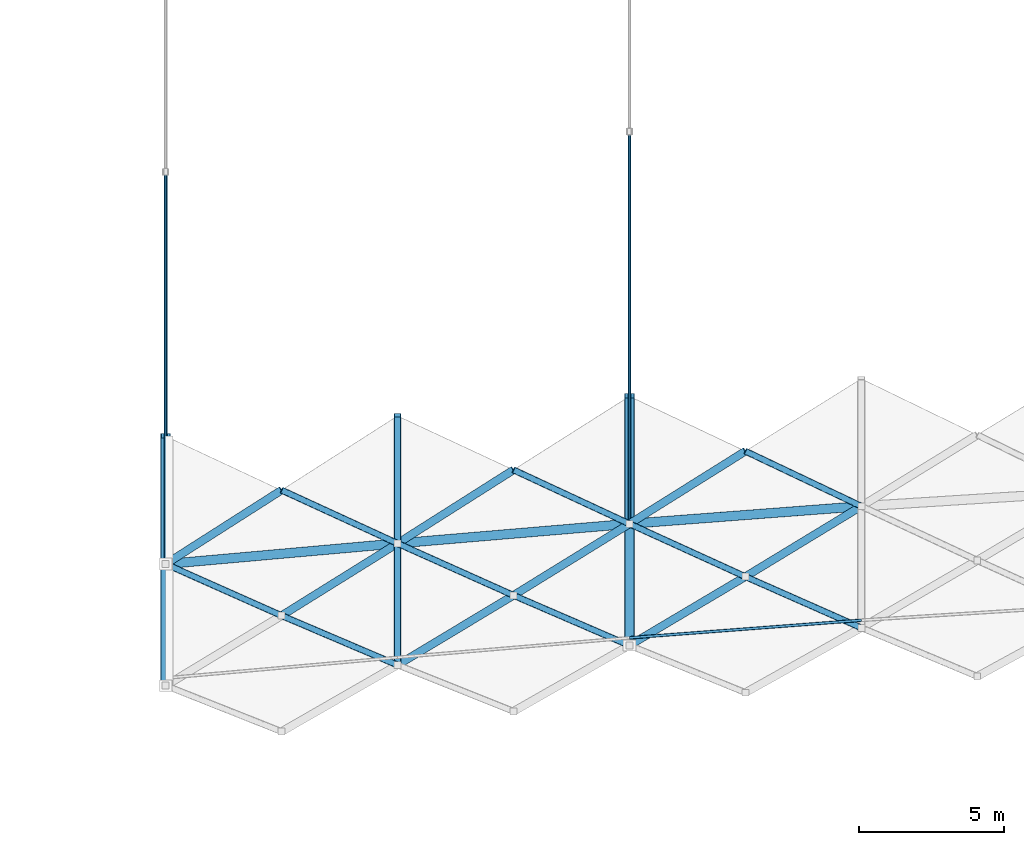
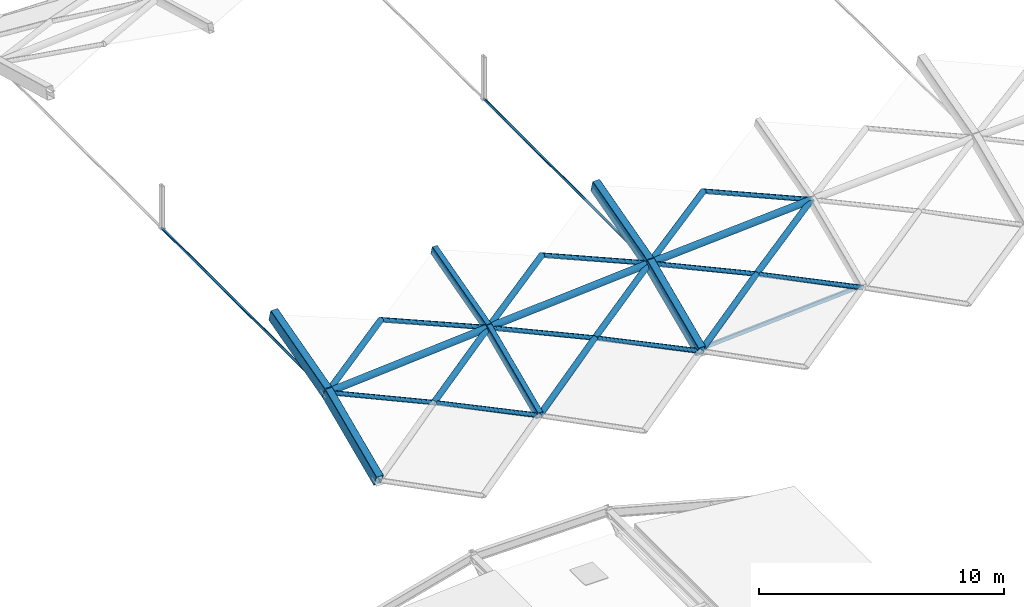
# One storey, part 4 of 54: 23 members, 6 beams.
"""IFC4 building model written with IfcOpenShell, lengths in metres."""

from ifc_helpers import new_model, si_unit, direction, frame, origin, origin_2d, place, context, subcontext, project, spatial, hollow_rectangle, hollow_circle, extrude, material, material_profile, profile_set, type_object, element, save


model = new_model("IFC4")

# Units and contexts
model_context = context("Model", 3, precision=1e-05, world=origin(), true_north=direction((0.0, 1.0)))
body_context = subcontext(model_context, "Body", "Model", "MODEL_VIEW")
ifc_project = project(units=[si_unit("LENGTHUNIT", "METRE"), si_unit("AREAUNIT", "SQUARE_METRE"), si_unit("VOLUMEUNIT", "CUBIC_METRE"), si_unit("PLANEANGLEUNIT", "RADIAN"), si_unit("MASSUNIT", "GRAM", prefix="KILO")], contexts=[model_context])

# Site, building, storey
site_placement = place(None, origin())
site = spatial("IfcSite", under=ifc_project, at=site_placement, CompositionType="ELEMENT")
building_placement = place(site_placement, origin())
building = spatial("IfcBuilding", under=site, at=building_placement, Name="Kenh Van Central Station", CompositionType="ELEMENT")
storey_placement = place(building_placement, frame((0.0, 0.0, 15.0)))
storey = spatial("IfcBuildingStorey", under=building, at=storey_placement, Name="L03", CompositionType="ELEMENT", Elevation=15.0)

# Beams
ifc_material = material(Name="White fluoropolymer structural steel S355", Category="steel")
ifc_material_profile_1 = material_profile(ifc_material, hollow_rectangle(XDim=0.35009765625, YDim=0.60009765625, WallThickness=0.01611328125, InnerFilletRadius=0.01611328125, OuterFilletRadius=0.031982421875, at=origin_2d()), Name="RHS 600x350x16")
ifc_profile_set_1 = profile_set([ifc_material_profile_1], Name="White fluoropolymer structural steel S355")
beam_type_1 = type_object("IfcBeamType", Name="BM-VAULT-ARCH600", PredefinedType="BEAM", material=ifc_profile_set_1)
beam_1_placement = place(storey_placement, frame((32.0, 70.26953125, 2.228515625), z_axis=(0.0, 0.91578030048, 0.401679525559), x_axis=(-1.0, 0.0, 0.0)))
element("IfcBeam", 1, at=beam_1_placement, inside=storey, type_object=beam_type_1, Name="Vault transverse arch 003", PredefinedType="BEAM", context=body_context, shape_type="SweptSolid", body=[
    extrude(hollow_rectangle(XDim=0.35009765625, YDim=0.60009765625, WallThickness=0.01611328125, InnerFilletRadius=0.01611328125, OuterFilletRadius=0.031982421875, at=origin_2d()), origin(), (0.0, 0.0, 1.0), 4.582275390625),
])
beam_2_placement = place(storey_placement, frame((32.0, 74.4658203125, 4.069091796875), z_axis=(0.0, 0.964381836979, 0.264514030829), x_axis=(-1.0, 0.0, 0.0)))
element("IfcBeam", 2, at=beam_2_placement, inside=storey, type_object=beam_type_1, Name="Vault transverse arch 004", PredefinedType="BEAM", context=body_context, shape_type="SweptSolid", body=[
    extrude(hollow_rectangle(XDim=0.35009765625, YDim=0.60009765625, WallThickness=0.01611328125, InnerFilletRadius=0.01611328125, OuterFilletRadius=0.031982421875, at=origin_2d()), origin(), (0.0, 0.0, 1.0), 4.58447265625),
])
beam_3_placement = place(storey_placement, frame((48.0, 71.657958984375, 2.228515625), z_axis=(0.0, 0.915771703278, 0.401699125561), x_axis=(-1.0, 0.0, 0.0)))
element("IfcBeam", 3, at=beam_3_placement, inside=storey, type_object=beam_type_1, Name="Vault transverse arch 027", PredefinedType="BEAM", context=body_context, shape_type="SweptSolid", body=[
    extrude(hollow_rectangle(XDim=0.35009765625, YDim=0.60009765625, WallThickness=0.01611328125, InnerFilletRadius=0.01611328125, OuterFilletRadius=0.031982421875, at=origin_2d()), origin(), (0.0, 0.0, 1.0), 4.58203125),
])
beam_4_placement = place(storey_placement, frame((48.0, 75.85400390625, 4.069091796875), z_axis=(0.0, 0.96438556277, 0.26450044673), x_axis=(-1.0, 0.0, 0.0)))
element("IfcBeam", 4, at=beam_4_placement, inside=storey, type_object=beam_type_1, Name="Vault transverse arch 028", PredefinedType="BEAM", context=body_context, shape_type="SweptSolid", body=[
    extrude(hollow_rectangle(XDim=0.35009765625, YDim=0.60009765625, WallThickness=0.01611328125, InnerFilletRadius=0.01611328125, OuterFilletRadius=0.031982421875, at=origin_2d()), origin(), (0.0, 0.0, 1.0), 4.584716796875),
])
ifc_material_profile_2 = material_profile(ifc_material, hollow_rectangle(XDim=0.25, YDim=0.449951171875, WallThickness=0.012451171875, InnerFilletRadius=0.012451171875, OuterFilletRadius=0.02490234375, at=origin_2d()), Name="RHS 450x250x12.5")
ifc_profile_set_2 = profile_set([ifc_material_profile_2], Name="White fluoropolymer structural steel S355")
beam_type_2 = type_object("IfcBeamType", Name="BM-VAULT-SUB450", PredefinedType="BEAM", material=ifc_profile_set_2)
beam_5_placement = place(storey_placement, frame((40.0, 70.9814453125, 2.228515625), z_axis=(0.0, 0.91578030048, 0.401679525559), x_axis=(-1.0, 0.0, 0.0)))
element("IfcBeam", 5, at=beam_5_placement, inside=storey, type_object=beam_type_2, Name="Vault transverse arch 015", PredefinedType="BEAM", context=body_context, shape_type="SweptSolid", body=[
    extrude(hollow_rectangle(XDim=0.25, YDim=0.449951171875, WallThickness=0.012451171875, InnerFilletRadius=0.012451171875, OuterFilletRadius=0.02490234375, at=origin_2d()), origin(), (0.0, 0.0, 1.0), 4.582275390625),
])
beam_6_placement = place(storey_placement, frame((40.0, 75.177734375, 4.069091796875), z_axis=(0.0, 0.96438556277, 0.26450044673), x_axis=(-1.0, 0.0, 0.0)))
element("IfcBeam", 6, at=beam_6_placement, inside=storey, type_object=beam_type_2, Name="Vault transverse arch 016", PredefinedType="BEAM", context=body_context, shape_type="SweptSolid", body=[
    extrude(hollow_rectangle(XDim=0.25, YDim=0.449951171875, WallThickness=0.012451171875, InnerFilletRadius=0.012451171875, OuterFilletRadius=0.02490234375, at=origin_2d()), origin(), (0.0, 0.0, 1.0), 4.584716796875),
])

# Members
ifc_material_profile_3 = material_profile(ifc_material, hollow_rectangle(XDim=0.10009765625, YDim=0.199951171875, WallThickness=0.008056640625, InnerFilletRadius=0.008056640625, OuterFilletRadius=0.01611328125, at=origin_2d()), Name="RHS 200x100x8")
ifc_profile_set_3 = profile_set([ifc_material_profile_3], Name="White fluoropolymer structural steel S355")
member_type_1 = type_object("IfcMemberType", Name="MEM-PUR-RHS200", PredefinedType="PURLIN", material=ifc_profile_set_3)
member_1_placement = place(storey_placement, frame((48.0, 71.921142578125, 2.13330078125), z_axis=(0.997136780926, 0.075619046039, 0.0), x_axis=(-0.075619046039, 0.997136780926, 0.0)))
element("IfcMember", 7, at=member_1_placement, inside=storey, type_object=member_type_1, Name="Vault longitudinal purlin 003", PredefinedType="PURLIN", context=body_context, shape_type="SweptSolid", body=[
    extrude(hollow_rectangle(XDim=0.10009765625, YDim=0.199951171875, WallThickness=0.008056640625, InnerFilletRadius=0.008056640625, OuterFilletRadius=0.01611328125, at=origin_2d()), origin(), (0.0, 0.0, 1.0), 8.02294921875),
])
ifc_material_profile_4 = material_profile(ifc_material, hollow_circle(Radius=0.109619140625, WallThickness=0.008056640625, at=origin_2d()), Name="CHS 219.1x8")
ifc_profile_set_4 = profile_set([ifc_material_profile_4], Name="White fluoropolymer structural steel S355")
member_type_2 = type_object("IfcMemberType", Name="MEM-VAULT-BRC219", PredefinedType="BRACE", material=ifc_profile_set_4)
member_2_placement = place(storey_placement, frame((32.0, 74.4658203125, 4.069091796875), z_axis=(0.897654765878, -0.399189002941, -0.18671920423), x_axis=(0.406335086538, 0.913724136404, 0.0)))
element("IfcMember", 8, at=member_2_placement, inside=storey, type_object=member_type_2, Name="Vault diamond grid member 0007", PredefinedType="BRACE", context=body_context, shape_type="SweptSolid", body=[
    extrude(hollow_circle(Radius=0.109619140625, WallThickness=0.008056640625, at=origin_2d()), origin(), (0.0, 0.0, 1.0), 4.4560546875),
])
member_3_placement = place(storey_placement, frame((36.0, 72.68701171875, 3.237060546875), z_axis=(0.896083797461, -0.382082605534, -0.225935190876), x_axis=(0.392224618177, 0.919869473836, 0.0)))
element("IfcMember", 9, at=member_3_placement, inside=storey, type_object=member_type_2, Name="Vault diamond grid member 0030", PredefinedType="BRACE", context=body_context, shape_type="SweptSolid", body=[
    extrude(hollow_circle(Radius=0.109619140625, WallThickness=0.008056640625, at=origin_2d()), origin(), (0.0, 0.0, 1.0), 4.4638671875),
])
member_4_placement = place(storey_placement, frame((36.0, 77.015380859375, 4.74560546875), z_axis=(0.898148398823, -0.412619811886, -0.151902417794), x_axis=(0.41746427799, 0.908693334741, 0.0)))
element("IfcMember", 10, at=member_4_placement, inside=storey, type_object=member_type_2, Name="Vault diamond grid member 0032", PredefinedType="BRACE", context=body_context, shape_type="SweptSolid", body=[
    extrude(hollow_circle(Radius=0.109619140625, WallThickness=0.008056640625, at=origin_2d()), origin(), (0.0, 0.0, 1.0), 4.45361328125),
])
member_5_placement = place(storey_placement, frame((40.0, 75.177734375, 4.069091796875), z_axis=(0.896592566382, -0.401671718582, -0.186498258437), x_axis=(0.408844781129, 0.912603936515, 0.0)))
element("IfcMember", 11, at=member_5_placement, inside=storey, type_object=member_type_2, Name="Vault diamond grid member 0055", PredefinedType="BRACE", context=body_context, shape_type="SweptSolid", body=[
    extrude(hollow_circle(Radius=0.109619140625, WallThickness=0.008056640625, at=origin_2d()), origin(), (0.0, 0.0, 1.0), 4.46142578125),
])
member_6_placement = place(storey_placement, frame((44.0, 73.3857421875, 3.237060546875), z_axis=(0.894373582592, -0.38632091333, -0.225503983746), x_axis=(0.396534758202, 0.918019708687, 0.0)))
element("IfcMember", 12, at=member_6_placement, inside=storey, type_object=member_type_2, Name="Vault diamond grid member 0078", PredefinedType="BRACE", context=body_context, shape_type="SweptSolid", body=[
    extrude(hollow_circle(Radius=0.109619140625, WallThickness=0.008056640625, at=origin_2d()), origin(), (0.0, 0.0, 1.0), 4.472412109375),
])
member_7_placement = place(storey_placement, frame((44.0, 77.7138671875, 4.74560546875), z_axis=(0.896294275368, -0.416746202988, -0.151588832827), x_axis=(0.421618579867, 0.906773275472, 0.0)))
element("IfcMember", 13, at=member_7_placement, inside=storey, type_object=member_type_2, Name="Vault diamond grid member 0080", PredefinedType="BRACE", context=body_context, shape_type="SweptSolid", body=[
    extrude(hollow_circle(Radius=0.109619140625, WallThickness=0.008056640625, at=origin_2d()), origin(), (0.0, 0.0, 1.0), 4.462890625),
])
member_8_placement = place(storey_placement, frame((48.0, 75.85400390625, 4.069091796875), z_axis=(0.894098495789, -0.407430381443, -0.185979472269), x_axis=(0.414664776546, 0.909974243093, 0.0)))
element("IfcMember", 14, at=member_8_placement, inside=storey, type_object=member_type_2, Name="Vault diamond grid member 0103", PredefinedType="BRACE", context=body_context, shape_type="SweptSolid", body=[
    extrude(hollow_circle(Radius=0.109619140625, WallThickness=0.008056640625, at=origin_2d()), origin(), (0.0, 0.0, 1.0), 4.473876953125),
])
member_9_placement = place(storey_placement, frame((52.0, 74.03125, 3.237060546875), z_axis=(0.891356322354, -0.393667867954, -0.224743223123), x_axis=(0.404003065048, 0.914757630977, 0.0)))
element("IfcMember", 15, at=member_9_placement, inside=storey, type_object=member_type_2, Name="Vault diamond grid member 0126", PredefinedType="BRACE", context=body_context, shape_type="SweptSolid", body=[
    extrude(hollow_circle(Radius=0.109619140625, WallThickness=0.008056640625, at=origin_2d()), origin(), (0.0, 0.0, 1.0), 4.487548828125),
])
member_10_placement = place(storey_placement, frame((52.0, 78.359619140625, 4.74560546875), z_axis=(0.893029293964, -0.423894581247, -0.151036631688), x_axis=(0.428813862497, 0.903392866548, 0.0)))
element("IfcMember", 16, at=member_10_placement, inside=storey, type_object=member_type_2, Name="Vault diamond grid member 0128", PredefinedType="BRACE", context=body_context, shape_type="SweptSolid", body=[
    extrude(hollow_circle(Radius=0.109619140625, WallThickness=0.008056640625, at=origin_2d()), origin(), (0.0, 0.0, 1.0), 4.479248046875),
])
ifc_material_profile_5 = material_profile(ifc_material, hollow_circle(Radius=0.05712890625, WallThickness=0.010009765625, at=origin_2d()), Name="CHS 114.3x10")
ifc_profile_set_5 = profile_set([ifc_material_profile_5], Name="White fluoropolymer structural steel S355")
member_type_3 = type_object("IfcMemberType", Name="MEM-VAULT-CBL114", PredefinedType="BRACE", material=ifc_profile_set_5)
member_11_placement = place(storey_placement, frame((32.0, 74.4658203125, 4.069091796875), z_axis=(0.0, 1.0, 0.0), x_axis=(-1.0, 0.0, 0.0)))
element("IfcMember", 17, at=member_11_placement, inside=storey, type_object=member_type_3, Name="Vault internal bowstring tension tie 01", PredefinedType="BRACE", context=body_context, shape_type="SweptSolid", body=[
    extrude(hollow_circle(Radius=0.05712890625, WallThickness=0.010009765625, at=origin_2d()), origin(), (0.0, 0.0, 1.0), 13.5341796875),
])
member_12_placement = place(storey_placement, frame((48.0, 75.85400390625, 4.069091796875), z_axis=(0.0, 1.0, 0.0), x_axis=(-1.0, 0.0, 0.0)))
element("IfcMember", 18, at=member_12_placement, inside=storey, type_object=member_type_3, Name="Vault internal bowstring tension tie 03", PredefinedType="BRACE", context=body_context, shape_type="SweptSolid", body=[
    extrude(hollow_circle(Radius=0.05712890625, WallThickness=0.010009765625, at=origin_2d()), origin(), (0.0, 0.0, 1.0), 13.534423828125),
])
ifc_material_profile_6 = material_profile(ifc_material, hollow_circle(Radius=0.136474609375, WallThickness=0.010009765625, at=origin_2d()), Name="CHS 273x10")
ifc_profile_set_6 = profile_set([ifc_material_profile_6], Name="White fluoropolymer structural steel S355")
member_type_4 = type_object("IfcMemberType", Name="MEM-VAULT-CHD273", PredefinedType="CHORD", material=ifc_profile_set_6)
member_13_placement = place(storey_placement, frame((32.0, 74.4658203125, 4.069091796875), z_axis=(0.834821509295, 0.532106995945, 0.141192041153), x_axis=(-0.537491464035, 0.843269189577, 0.0)))
element("IfcMember", 19, at=member_13_placement, inside=storey, type_object=member_type_4, Name="Vault diamond grid member 0006", PredefinedType="CHORD", context=body_context, shape_type="SweptSolid", body=[
    extrude(hollow_circle(Radius=0.136474609375, WallThickness=0.010009765625, at=origin_2d()), origin(), (0.0, 0.0, 1.0), 4.79150390625),
])
member_14_placement = place(storey_placement, frame((36.0, 72.68701171875, 3.237060546875), z_axis=(0.83595022093, 0.520530038692, 0.173884176815), x_axis=(-0.528582404455, 0.848881995156, 0.0)))
element("IfcMember", 20, at=member_14_placement, inside=storey, type_object=member_type_4, Name="Vault diamond grid member 0029", PredefinedType="CHORD", context=body_context, shape_type="SweptSolid", body=[
    extrude(hollow_circle(Radius=0.136474609375, WallThickness=0.010009765625, at=origin_2d()), origin(), (0.0, 0.0, 1.0), 4.784912109375),
])
member_15_placement = place(storey_placement, frame((40.0, 70.9814453125, 2.228515625), z_axis=(0.837748119069, 0.503548796179, 0.211226652824), x_axis=(-0.515172579169, 0.857086468025, 0.0)))
element("IfcMember", 21, at=member_15_placement, inside=storey, type_object=member_type_4, Name="Vault diamond grid member 0052", PredefinedType="CHORD", context=body_context, shape_type="SweptSolid", body=[
    extrude(hollow_circle(Radius=0.136474609375, WallThickness=0.010009765625, at=origin_2d()), origin(), (0.0, 0.0, 1.0), 4.774658203125),
])
member_16_placement = place(storey_placement, frame((40.0, 75.177734375, 4.069091796875), z_axis=(0.83606589215, 0.530093535623, 0.141402501657), x_axis=(-0.535473877011, 0.844551790619, 0.0)))
element("IfcMember", 22, at=member_16_placement, inside=storey, type_object=member_type_4, Name="Vault diamond grid member 0054", PredefinedType="CHORD", context=body_context, shape_type="SweptSolid", body=[
    extrude(hollow_circle(Radius=0.136474609375, WallThickness=0.010009765625, at=origin_2d()), origin(), (0.0, 0.0, 1.0), 4.784423828125),
])
member_17_placement = place(storey_placement, frame((44.0, 73.3857421875, 3.237060546875), z_axis=(0.837991018787, 0.517095288082, 0.174308678713), x_axis=(-0.525134541028, 0.851019220593, 0.0)))
element("IfcMember", 23, at=member_17_placement, inside=storey, type_object=member_type_4, Name="Vault diamond grid member 0077", PredefinedType="CHORD", context=body_context, shape_type="SweptSolid", body=[
    extrude(hollow_circle(Radius=0.136474609375, WallThickness=0.010009765625, at=origin_2d()), origin(), (0.0, 0.0, 1.0), 4.7734375),
])
member_18_placement = place(storey_placement, frame((48.0, 71.657958984375, 2.228515625), z_axis=(0.840483171326, 0.498677789823, 0.211916258591), x_axis=(-0.51026706297, 0.860016002437, 0.0)))
element("IfcMember", 24, at=member_18_placement, inside=storey, type_object=member_type_4, Name="Vault diamond grid member 0100", PredefinedType="CHORD", context=body_context, shape_type="SweptSolid", body=[
    extrude(hollow_circle(Radius=0.136474609375, WallThickness=0.010009765625, at=origin_2d()), origin(), (0.0, 0.0, 1.0), 4.75927734375),
])
member_19_placement = place(storey_placement, frame((48.0, 75.85400390625, 4.069091796875), z_axis=(0.838890115135, 0.525483963112, 0.141880158022), x_axis=(-0.530854167719, 0.847463186584, 0.0)))
element("IfcMember", 25, at=member_19_placement, inside=storey, type_object=member_type_4, Name="Vault diamond grid member 0102", PredefinedType="CHORD", context=body_context, shape_type="SweptSolid", body=[
    extrude(hollow_circle(Radius=0.136474609375, WallThickness=0.010009765625, at=origin_2d()), origin(), (0.0, 0.0, 1.0), 4.768310546875),
])
member_20_placement = place(storey_placement, frame((52.0, 74.03125, 3.237060546875), z_axis=(0.84148717473, 0.511137717463, 0.175035906462), x_axis=(-0.51915236542, 0.854681707701, 0.0)))
element("IfcMember", 26, at=member_20_placement, inside=storey, type_object=member_type_4, Name="Vault diamond grid member 0125", PredefinedType="CHORD", context=body_context, shape_type="SweptSolid", body=[
    extrude(hollow_circle(Radius=0.136474609375, WallThickness=0.010009765625, at=origin_2d()), origin(), (0.0, 0.0, 1.0), 4.75341796875),
])
ifc_material_profile_7 = material_profile(ifc_material, hollow_circle(Radius=0.161865234375, WallThickness=0.010009765625, at=origin_2d()), Name="CHS 323.9x10")
ifc_profile_set_7 = profile_set([ifc_material_profile_7], Name="White fluoropolymer structural steel S355")
member_type_5 = type_object("IfcMemberType", Name="MEM-VAULT-CHD324", PredefinedType="CHORD", material=ifc_profile_set_7)
member_21_placement = place(storey_placement, frame((32.0, 74.4658203125, 4.069091796875), z_axis=(0.996063818854, 0.088638979974, 0.0), x_axis=(-0.088638979974, 0.996063818854, 0.0)))
element("IfcMember", 27, at=member_21_placement, inside=storey, type_object=member_type_5, Name="Vault longitudinal spine chord 15", PredefinedType="CHORD", context=body_context, shape_type="SweptSolid", body=[
    extrude(hollow_circle(Radius=0.161865234375, WallThickness=0.010009765625, at=origin_2d()), origin(), (0.0, 0.0, 1.0), 8.031494140625),
])
member_22_placement = place(storey_placement, frame((40.0, 75.177734375, 4.069091796875), z_axis=(0.996446063383, 0.084233264025, 0.0), x_axis=(-0.084233264025, 0.996446063383, 0.0)))
element("IfcMember", 28, at=member_22_placement, inside=storey, type_object=member_type_5, Name="Vault longitudinal spine chord 16", PredefinedType="CHORD", context=body_context, shape_type="SweptSolid", body=[
    extrude(hollow_circle(Radius=0.161865234375, WallThickness=0.010009765625, at=origin_2d()), origin(), (0.0, 0.0, 1.0), 8.028564453125),
])
member_23_placement = place(storey_placement, frame((48.0, 75.85400390625, 4.069091796875), z_axis=(0.997134485958, 0.075649302127, 0.0), x_axis=(-0.075649302127, 0.997134485958, 0.0)))
element("IfcMember", 29, at=member_23_placement, inside=storey, type_object=member_type_5, Name="Vault longitudinal spine chord 17", PredefinedType="CHORD", context=body_context, shape_type="SweptSolid", body=[
    extrude(hollow_circle(Radius=0.161865234375, WallThickness=0.010009765625, at=origin_2d()), origin(), (0.0, 0.0, 1.0), 8.02294921875),
])

save(model, "model.ifc")
